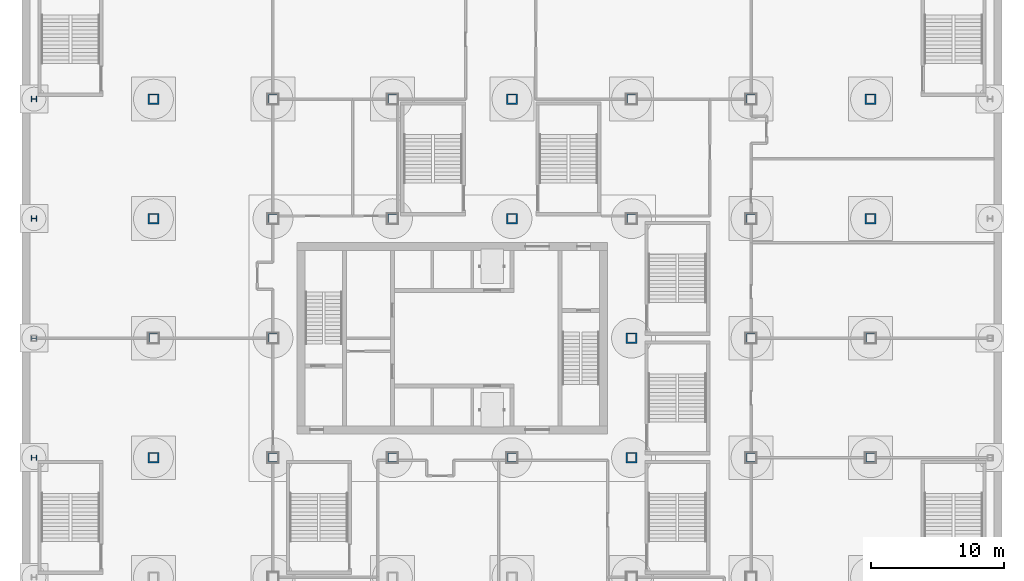
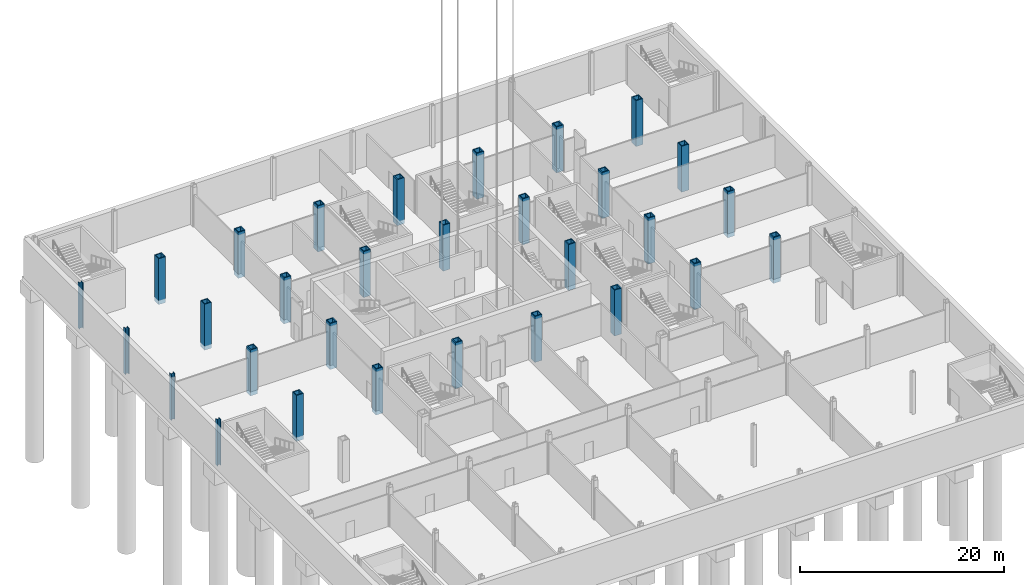
# One storey, part 3 of 28: 30 columns.
"""IFC4 building model written with IfcOpenShell, lengths in metres."""

from ifc_helpers import new_model, si_unit, direction, frame, origin, origin_2d, place, context, subcontext, project, spatial, hollow_rectangle, i_section, extrude, material, material_profile, profile_set, type_object, element, save


model = new_model("IFC4")

# Units and contexts
model_context = context("Model", 3, precision=1e-05, world=origin(), true_north=direction((0.0, 1.0)))
body_context = subcontext(model_context, "Body", "Model", "MODEL_VIEW")
ifc_project = project(units=[si_unit("LENGTHUNIT", "METRE"), si_unit("AREAUNIT", "SQUARE_METRE"), si_unit("VOLUMEUNIT", "CUBIC_METRE"), si_unit("PLANEANGLEUNIT", "RADIAN"), si_unit("MASSUNIT", "GRAM", prefix="KILO")], contexts=[model_context])

# Site, building, storey
site_placement = place(None, origin())
site = spatial("IfcSite", under=ifc_project, at=site_placement, CompositionType="ELEMENT")
building_placement = place(site_placement, origin())
building = spatial("IfcBuilding", under=site, at=building_placement, Name="Loomwork Tower", CompositionType="ELEMENT")
storey_placement = place(building_placement, frame((0.0, 0.0, -10.5)))
storey = spatial("IfcBuildingStorey", under=building, at=storey_placement, Name="B2", CompositionType="ELEMENT", Elevation=-10.5)

# Columns
ifc_material_1 = material(Name="Steel ASTM A572 Grade 50 plate", Category="steel")
ifc_material_profile_1 = material_profile(ifc_material_1, hollow_rectangle(XDim=0.800048828125, YDim=0.800048828125, WallThickness=0.10009765625, at=origin_2d()), Name="BOX800x100")
ifc_profile_set_1 = profile_set([ifc_material_profile_1], Name="Steel ASTM A572 Grade 50 plate")
column_type_1 = type_object("IfcColumnType", Name="EXOSKELETON PIER BOX800x100", PredefinedType="COLUMN", material=ifc_profile_set_1)
for number, where, z_axis, x_axis, name in (
    (1, (0.0, 9.0, -0.5), (0.0, 0.0, 1.0), (0.0, 1.0, 0.0), "Exoskeleton Pier E/2 B2"),
    (2, (0.0, 18.0, -0.5), (0.0, 0.0, 1.0), (0.0, 1.0, 0.0), "Exoskeleton Pier F/2 B2"),
    (3, (0.0, 27.0, -0.5), (0.0, 0.0, 1.0), (0.0, 1.0, 0.0), "Exoskeleton Pier G/2 B2"),
    (4, (0.0, 36.0, -0.5), (0.0, 0.0, 1.0), (1.0, 0.0, 0.0), "Exoskeleton Pier H/2 B2"),
    (5, (9.0, 36.0, -0.5), (0.0, 0.0, 1.0), (1.0, 0.0, 0.0), "Exoskeleton Pier H/3 B2"),
    (6, (18.0, 36.0, -0.5), (0.0, 0.0, 1.0), (1.0, 0.0, 0.0), "Exoskeleton Pier H/4 B2"),
    (7, (27.0, 36.0, -0.5), (0.0, 0.0, 1.0), (1.0, 0.0, 0.0), "Exoskeleton Pier H/5 B2"),
    (8, (36.0, 36.0, -0.5), (0.0, 0.0, 1.0), (1.0, 0.0, 0.0), "Exoskeleton Pier H/6 B2"),
    (9, (45.0, 36.0, -0.5), (0.0, 0.0, 1.0), (1.0, 0.0, 0.0), "Exoskeleton Pier H/7 B2"),
    (10, (54.0, 9.0, -0.5), (0.0, 0.0, 1.0), (0.0, 1.0, 0.0), "Exoskeleton Pier E/8 B2"),
    (11, (54.0, 18.0, -0.5), (0.0, 0.0, 1.0), (0.0, 1.0, 0.0), "Exoskeleton Pier F/8 B2"),
    (12, (54.0, 27.0, -0.5), (0.0, 0.0, 1.0), (0.0, 1.0, 0.0), "Exoskeleton Pier G/8 B2"),
    (13, (54.0, 36.0, -0.5), (0.0, 0.0, 1.0), (1.0, 0.0, 0.0), "Exoskeleton Pier H/8 B2"),
):
    element("IfcColumn", number, at=place(storey_placement, frame(where, z_axis=z_axis, x_axis=x_axis)), inside=storey, type_object=column_type_1, Name=name, PredefinedType="COLUMN", context=body_context, shape_type="SweptSolid", body=[
        extrude(hollow_rectangle(XDim=0.800048828125, YDim=0.800048828125, WallThickness=0.10009765625, at=origin_2d()), origin(), (0.0, 0.0, 1.0), 5.5),
    ])
ifc_material_2 = material(Name="Steel ASTM A992", Category="steel")
ifc_material_profile_2 = material_profile(ifc_material_2, i_section(OverallWidth=0.4013671875, OverallDepth=0.398681640625, WebThickness=0.02490234375, FlangeThickness=0.03955078125, at=origin_2d()), Name="W14x211")
ifc_profile_set_2 = profile_set([ifc_material_profile_2], Name="Steel ASTM A992")
column_type_2 = type_object("IfcColumnType", Name="PODIUM COLUMN W14x211", PredefinedType="COLUMN", material=ifc_profile_set_2)
for number, where, z_axis, x_axis, name in (
    (14, (-9.0, 9.0, -0.5), (0.0, 0.0, 1.0), (0.0, 1.0, 0.0), "Podium Column E/1 B2"),
    (15, (-9.0, 18.0, -0.5), (0.0, 0.0, 1.0), (0.0, 1.0, 0.0), "Podium Column F/1 B2"),
    (16, (-9.0, 27.0, -0.5), (0.0, 0.0, 1.0), (0.0, 1.0, 0.0), "Podium Column G/1 B2"),
    (17, (-9.0, 36.0, -0.5), (0.0, 0.0, 1.0), (0.0, 1.0, 0.0), "Podium Column H/1 B2"),
):
    element("IfcColumn", number, at=place(storey_placement, frame(where, z_axis=z_axis, x_axis=x_axis)), inside=storey, type_object=column_type_2, Name=name, PredefinedType="COLUMN", context=body_context, shape_type="SweptSolid", body=[
        extrude(i_section(OverallWidth=0.4013671875, OverallDepth=0.398681640625, WebThickness=0.02490234375, FlangeThickness=0.03955078125, at=origin_2d()), origin(), (0.0, 0.0, 1.0), 5.5),
    ])
ifc_material_3 = material(Name="Steel ASTM A572 Grade 50 plate", Category="steel")
ifc_material_profile_3 = material_profile(ifc_material_3, hollow_rectangle(XDim=0.800048828125, YDim=0.800048828125, WallThickness=0.10009765625, at=origin_2d()), Name="BOX800x100")
ifc_profile_set_3 = profile_set([ifc_material_profile_3], Name="Steel ASTM A572 Grade 50 plate")
column_type_3 = type_object("IfcColumnType", Name="TOWER COLUMN BOX800x100", PredefinedType="COLUMN", material=ifc_profile_set_3)
for number, where, z_axis, x_axis, name in (
    (18, (9.0, 9.0, -0.5), (0.0, 0.0, 1.0), (1.0, 0.0, 0.0), "Tower Column E/3 B2"),
    (19, (9.0, 18.0, -0.5), (0.0, 0.0, 1.0), (1.0, 0.0, 0.0), "Tower Column F/3 B2"),
    (20, (9.0, 27.0, -0.5), (0.0, 0.0, 1.0), (1.0, 0.0, 0.0), "Tower Column G/3 B2"),
    (21, (18.0, 9.0, -0.5), (0.0, 0.0, 1.0), (1.0, 0.0, 0.0), "Tower Column E/4 B2"),
    (22, (18.0, 27.0, -0.5), (0.0, 0.0, 1.0), (1.0, 0.0, 0.0), "Tower Column G/4 B2"),
    (23, (27.0, 9.0, -0.5), (0.0, 0.0, 1.0), (1.0, 0.0, 0.0), "Tower Column E/5 B2"),
    (24, (27.0, 27.0, -0.5), (0.0, 0.0, 1.0), (1.0, 0.0, 0.0), "Tower Column G/5 B2"),
    (25, (36.0, 9.0, -0.5), (0.0, 0.0, 1.0), (0.0, 1.0, 0.0), "Tower Column E/6 B2"),
    (26, (36.0, 18.0, -0.5), (0.0, 0.0, 1.0), (0.0, 1.0, 0.0), "Tower Column F/6 B2"),
    (27, (36.0, 27.0, -0.5), (0.0, 0.0, 1.0), (1.0, 0.0, 0.0), "Tower Column G/6 B2"),
    (28, (45.0, 9.0, -0.5), (0.0, 0.0, 1.0), (0.0, 1.0, 0.0), "Tower Column E/7 B2"),
    (29, (45.0, 18.0, -0.5), (0.0, 0.0, 1.0), (0.0, 1.0, 0.0), "Tower Column F/7 B2"),
    (30, (45.0, 27.0, -0.5), (0.0, 0.0, 1.0), (0.0, 1.0, 0.0), "Tower Column G/7 B2"),
):
    element("IfcColumn", number, at=place(storey_placement, frame(where, z_axis=z_axis, x_axis=x_axis)), inside=storey, type_object=column_type_3, Name=name, PredefinedType="COLUMN", context=body_context, shape_type="SweptSolid", body=[
        extrude(hollow_rectangle(XDim=0.800048828125, YDim=0.800048828125, WallThickness=0.10009765625, at=origin_2d()), origin(), (0.0, 0.0, 1.0), 5.5),
    ])

save(model, "model.ifc")
